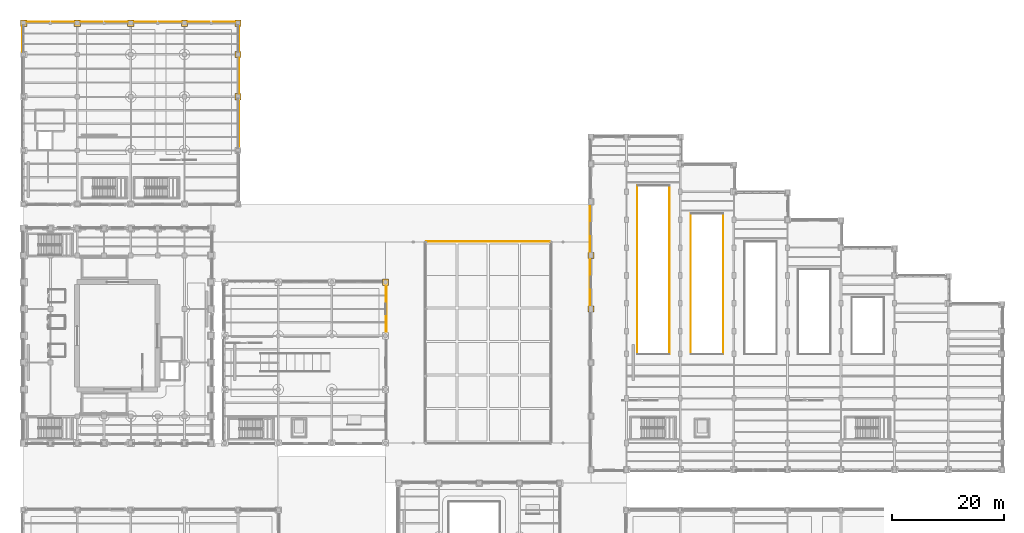
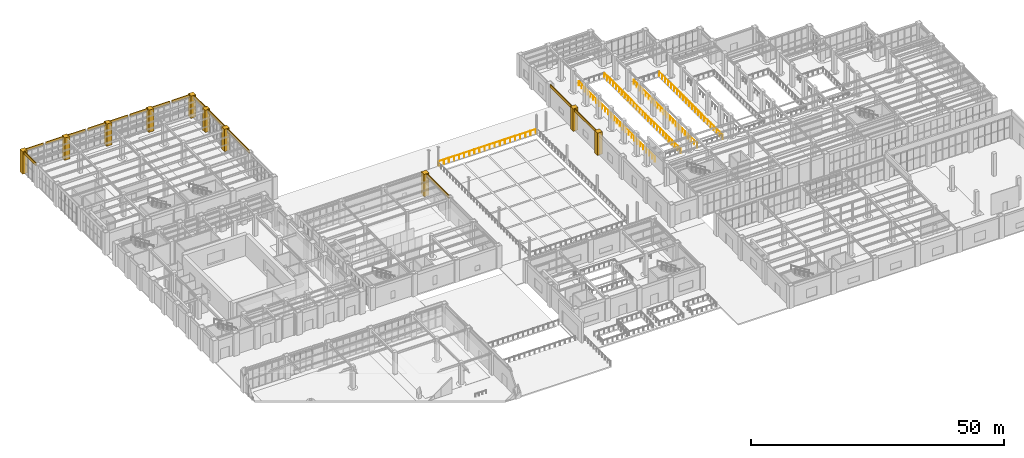
# One storey, part 157 of 164: 25 coverings, 5 railings.
"""IFC4 building model written with IfcOpenShell, lengths in metres."""

from ifc_helpers import new_model, si_unit, direction, frame, origin, origin_2d, place, context, subcontext, project, spatial, polyline, circle, outline, extrude, material, layer, layer_set, type_object, element, save


model = new_model("IFC4")

# Units and contexts
model_context = context("Model", 3, precision=1e-05, world=origin(), true_north=direction((0.0, 1.0)))
body_context = subcontext(model_context, "Body", "Model", "MODEL_VIEW")
ifc_project = project(units=[si_unit("LENGTHUNIT", "METRE"), si_unit("AREAUNIT", "SQUARE_METRE"), si_unit("VOLUMEUNIT", "CUBIC_METRE"), si_unit("PLANEANGLEUNIT", "RADIAN"), si_unit("MASSUNIT", "GRAM", prefix="KILO")], contexts=[model_context])

# Site, building, storey
site_placement = place(None, origin())
site = spatial("IfcSite", under=ifc_project, at=site_placement, CompositionType="ELEMENT")
building_placement = place(site_placement, origin())
building = spatial("IfcBuilding", under=site, at=building_placement, Name="Mavantir Sound Aquarium", CompositionType="ELEMENT")
storey_placement = place(building_placement, origin())
storey = spatial("IfcBuildingStorey", under=building, at=storey_placement, Name="L00", CompositionType="ELEMENT", Elevation=0.0)

# Coverings
ifc_material_1 = material(Name="Honed Coral-Limestone & Glazed Terracotta Rainscreen Cladding", Category="masonry")
ifc_layer = layer(ifc_material_1, 0.06005859375, Name="Honed Coral-Limestone & Glazed Terracotta Rainscreen Cladding")
ifc_layer_set = layer_set([ifc_layer], Name="Honed Coral-Limestone & Glazed Terracotta Rainscreen Cladding")
covering_type = type_object("IfcCoveringType", Name="COV-CLAD-TC", PredefinedType="CLADDING", material=ifc_layer_set)
covering_1_placement = place(storey_placement, frame((0.0, 0.0, 4.59912109375)))
element("IfcCovering", 1, at=covering_1_placement, inside=storey, type_object=covering_type, Name="L00 Postmodern coral-limestone spandrel frieze 33", PredefinedType="CLADDING", context=body_context, shape_type="SweptSolid", body=[
    extrude(outline(polyline([(64.889892578125, 60.383056640625), (64.889892578125, 69.217041015625), (65.0400390625, 69.217041015625), (65.0400390625, 60.383056640625), (64.889892578125, 60.383056640625)])), origin(), (0.0, 0.0, 1.0), 0.80078125),
])
covering_2_placement = place(storey_placement, frame((0.0, 0.0, 4.68603515625)))
element("IfcCovering", 2, at=covering_2_placement, inside=storey, type_object=covering_type, Name="L00 Postmodern coral-limestone spandrel frieze 76", PredefinedType="CLADDING", context=body_context, shape_type="SweptSolid", body=[
    extrude(outline(polyline([(101.510009765625, 83.491943359375), (101.510009765625, 74.907958984375), (101.360107421875, 74.907958984375), (101.360107421875, 83.491943359375), (101.510009765625, 83.491943359375)])), origin(), (0.0, 0.0, 1.0), 0.7138671875),
])
covering_3_placement = place(storey_placement, frame((0.0, 0.0, 4.68603515625)))
element("IfcCovering", 3, at=covering_3_placement, inside=storey, type_object=covering_type, Name="L00 Postmodern coral-limestone spandrel frieze 77", PredefinedType="CLADDING", context=body_context, shape_type="SweptSolid", body=[
    extrude(outline(polyline([(101.510009765625, 73.89208984375), (101.510009765625, 65.30810546875), (101.360107421875, 65.30810546875), (101.360107421875, 73.89208984375), (101.510009765625, 73.89208984375)])), origin(), (0.0, 0.0, 1.0), 0.7138671875),
])
covering_4_placement = place(storey_placement, frame((0.0, 0.0, 4.59912109375)))
element("IfcCovering", 4, at=covering_4_placement, inside=storey, type_object=covering_type, Name="L00 Postmodern coral-limestone spandrel frieze 102", PredefinedType="CLADDING", context=body_context, shape_type="SweptSolid", body=[
    extrude(outline(polyline([(38.489990234375, 93.5830078125), (38.489990234375, 102.4169921875), (38.639892578125, 102.4169921875), (38.639892578125, 93.5830078125), (38.489990234375, 93.5830078125)])), origin(), (0.0, 0.0, 1.0), 0.80078125),
])
covering_5_placement = place(storey_placement, frame((0.0, 0.0, 4.59912109375)))
element("IfcCovering", 5, at=covering_5_placement, inside=storey, type_object=covering_type, Name="L00 Postmodern coral-limestone spandrel frieze 103", PredefinedType="CLADDING", context=body_context, shape_type="SweptSolid", body=[
    extrude(outline(polyline([(38.489990234375, 103.18310546875), (38.489990234375, 110.01708984375), (38.639892578125, 110.01708984375), (38.639892578125, 103.18310546875), (38.489990234375, 103.18310546875)])), origin(), (0.0, 0.0, 1.0), 0.80078125),
])
covering_6_placement = place(storey_placement, frame((0.0, 0.0, 4.59912109375)))
element("IfcCovering", 6, at=covering_6_placement, inside=storey, type_object=covering_type, Name="L00 Postmodern coral-limestone spandrel frieze 104", PredefinedType="CLADDING", context=body_context, shape_type="SweptSolid", body=[
    extrude(outline(polyline([(38.489990234375, 110.782958984375), (38.489990234375, 115.616943359375), (38.639892578125, 115.616943359375), (38.639892578125, 110.782958984375), (38.489990234375, 110.782958984375)])), origin(), (0.0, 0.0, 1.0), 0.80078125),
])
covering_7_placement = place(storey_placement, frame((0.0, 0.0, 4.7080078125)))
element("IfcCovering", 7, at=covering_7_placement, inside=storey, type_object=covering_type, Name="L00 Postmodern coral-limestone spandrel frieze 105", PredefinedType="CLADDING", context=body_context, shape_type="SweptSolid", body=[
    extrude(outline(polyline([(38.01708984375, 116.090087890625), (33.8330078125, 116.090087890625), (33.8330078125, 116.239990234375), (38.01708984375, 116.239990234375), (38.01708984375, 116.090087890625)])), origin(), (0.0, 0.0, 1.0), 0.69189453125),
])
covering_8_placement = place(storey_placement, frame((0.0, 0.0, 4.7080078125)))
element("IfcCovering", 8, at=covering_8_placement, inside=storey, type_object=covering_type, Name="L00 Postmodern coral-limestone spandrel frieze 106", PredefinedType="CLADDING", context=body_context, shape_type="SweptSolid", body=[
    extrude(outline(polyline([(33.366943359375, 116.090087890625), (29.18310546875, 116.090087890625), (29.18310546875, 116.239990234375), (33.366943359375, 116.239990234375), (33.366943359375, 116.090087890625)])), origin(), (0.0, 0.0, 1.0), 0.69189453125),
])
covering_9_placement = place(storey_placement, frame((0.0, 0.0, 4.81298828125)))
element("IfcCovering", 9, at=covering_9_placement, inside=storey, type_object=covering_type, Name="L00 Postmodern coral-limestone spandrel frieze 107", PredefinedType="CLADDING", context=body_context, shape_type="SweptSolid", body=[
    extrude(outline(polyline([(28.4169921875, 116.090087890625), (24.23291015625, 116.090087890625), (24.23291015625, 116.239990234375), (28.4169921875, 116.239990234375), (28.4169921875, 116.090087890625)])), origin(), (0.0, 0.0, 1.0), 0.5869140625),
])
covering_10_placement = place(storey_placement, frame((0.0, 0.0, 4.81298828125)))
element("IfcCovering", 10, at=covering_10_placement, inside=storey, type_object=covering_type, Name="L00 Postmodern coral-limestone spandrel frieze 108", PredefinedType="CLADDING", context=body_context, shape_type="SweptSolid", body=[
    extrude(outline(polyline([(23.76708984375, 116.090087890625), (19.5830078125, 116.090087890625), (19.5830078125, 116.239990234375), (23.76708984375, 116.239990234375), (23.76708984375, 116.090087890625)])), origin(), (0.0, 0.0, 1.0), 0.5869140625),
])
covering_11_placement = place(storey_placement, frame((0.0, 0.0, 4.7080078125)))
element("IfcCovering", 11, at=covering_11_placement, inside=storey, type_object=covering_type, Name="L00 Postmodern coral-limestone spandrel frieze 109", PredefinedType="CLADDING", context=body_context, shape_type="SweptSolid", body=[
    extrude(outline(polyline([(18.81689453125, 116.090087890625), (14.633056640625, 116.090087890625), (14.633056640625, 116.239990234375), (18.81689453125, 116.239990234375), (18.81689453125, 116.090087890625)])), origin(), (0.0, 0.0, 1.0), 0.69189453125),
])
covering_12_placement = place(storey_placement, frame((0.0, 0.0, 4.7080078125)))
element("IfcCovering", 12, at=covering_12_placement, inside=storey, type_object=covering_type, Name="L00 Postmodern coral-limestone spandrel frieze 110", PredefinedType="CLADDING", context=body_context, shape_type="SweptSolid", body=[
    extrude(outline(polyline([(14.1669921875, 116.090087890625), (9.98291015625, 116.090087890625), (9.98291015625, 116.239990234375), (14.1669921875, 116.239990234375), (14.1669921875, 116.090087890625)])), origin(), (0.0, 0.0, 1.0), 0.69189453125),
])
covering_13_placement = place(storey_placement, frame((0.0, 0.0, 4.81298828125)))
element("IfcCovering", 13, at=covering_13_placement, inside=storey, type_object=covering_type, Name="L00 Postmodern coral-limestone spandrel frieze 111", PredefinedType="CLADDING", context=body_context, shape_type="SweptSolid", body=[
    extrude(outline(polyline([(9.217041015625, 116.090087890625), (5.032958984375, 116.090087890625), (5.032958984375, 116.239990234375), (9.217041015625, 116.239990234375), (9.217041015625, 116.090087890625)])), origin(), (0.0, 0.0, 1.0), 0.5869140625),
])
covering_14_placement = place(storey_placement, frame((0.0, 0.0, 4.81298828125)))
element("IfcCovering", 14, at=covering_14_placement, inside=storey, type_object=covering_type, Name="L00 Postmodern coral-limestone spandrel frieze 112", PredefinedType="CLADDING", context=body_context, shape_type="SweptSolid", body=[
    extrude(outline(polyline([(4.56689453125, 116.090087890625), (0.383056640625, 116.090087890625), (0.383056640625, 116.239990234375), (4.56689453125, 116.239990234375), (4.56689453125, 116.090087890625)])), origin(), (0.0, 0.0, 1.0), 0.5869140625),
])
covering_15_placement = place(storey_placement, frame((0.0, 0.0, 4.6630859375)))
element("IfcCovering", 15, at=covering_15_placement, inside=storey, type_object=covering_type, Name="L00 Postmodern coral-limestone spandrel frieze 113", PredefinedType="CLADDING", context=body_context, shape_type="SweptSolid", body=[
    extrude(outline(polyline([(-0.090087890625, 115.616943359375), (-0.090087890625, 110.782958984375), (-0.239990234375, 110.782958984375), (-0.239990234375, 115.616943359375), (-0.090087890625, 115.616943359375)])), origin(), (0.0, 0.0, 1.0), 0.73681640625),
])
covering_16_placement = place(storey_placement, origin())
element("IfcCovering", 16, at=covering_16_placement, inside=storey, type_object=covering_type, Name="L00 Postmodern coral-limestone pilaster casing 157", PredefinedType="CLADDING", context=body_context, shape_type="SweptSolid", body=[
    extrude(outline(polyline([(64.239990234375, 69.0400390625), (65.360107421875, 69.0400390625), (65.360107421875, 70.159912109375), (64.239990234375, 70.159912109375), (64.239990234375, 69.0400390625)])), origin(), (0.0, 0.0, 1.0), 5.39990234375),
])
covering_17_placement = place(storey_placement, origin())
element("IfcCovering", 17, at=covering_17_placement, inside=storey, type_object=covering_type, Name="L00 Postmodern coral-limestone pilaster casing 217", PredefinedType="CLADDING", context=body_context, shape_type="SweptSolid", body=[
    extrude(outline(polyline([(101.0400390625, 64.239990234375), (102.159912109375, 64.239990234375), (102.159912109375, 65.360107421875), (101.0400390625, 65.360107421875), (101.0400390625, 64.239990234375)])), origin(), (0.0, 0.0, 1.0), 5.39990234375),
])
covering_18_placement = place(storey_placement, origin())
element("IfcCovering", 18, at=covering_18_placement, inside=storey, type_object=covering_type, Name="L00 Postmodern coral-limestone pilaster casing 219", PredefinedType="CLADDING", context=body_context, shape_type="SweptSolid", body=[
    extrude(outline(polyline([(101.0400390625, 73.840087890625), (102.159912109375, 73.840087890625), (102.159912109375, 74.9599609375), (101.0400390625, 74.9599609375), (101.0400390625, 73.840087890625)])), origin(), (0.0, 0.0, 1.0), 5.39990234375),
])
covering_19_placement = place(storey_placement, origin())
element("IfcCovering", 19, at=covering_19_placement, inside=storey, type_object=covering_type, Name="L00 Postmodern coral-limestone pilaster casing 364", PredefinedType="CLADDING", context=body_context, shape_type="SweptSolid", body=[
    extrude(outline(polyline([(-0.56005859375, 115.43994140625), (0.56005859375, 115.43994140625), (0.56005859375, 116.56005859375), (-0.56005859375, 116.56005859375), (-0.56005859375, 115.43994140625)])), origin(), (0.0, 0.0, 1.0), 5.39990234375),
])
covering_20_placement = place(storey_placement, origin())
element("IfcCovering", 20, at=covering_20_placement, inside=storey, type_object=covering_type, Name="L00 Postmodern coral-limestone pilaster casing 376", PredefinedType="CLADDING", context=body_context, shape_type="SweptSolid", body=[
    extrude(outline(polyline([(9.0400390625, 115.43994140625), (10.159912109375, 115.43994140625), (10.159912109375, 116.56005859375), (9.0400390625, 116.56005859375), (9.0400390625, 115.43994140625)])), origin(), (0.0, 0.0, 1.0), 5.39990234375),
])
covering_21_placement = place(storey_placement, origin())
element("IfcCovering", 21, at=covering_21_placement, inside=storey, type_object=covering_type, Name="L00 Postmodern coral-limestone pilaster casing 388", PredefinedType="CLADDING", context=body_context, shape_type="SweptSolid", body=[
    extrude(outline(polyline([(18.639892578125, 115.43994140625), (19.760009765625, 115.43994140625), (19.760009765625, 116.56005859375), (18.639892578125, 116.56005859375), (18.639892578125, 115.43994140625)])), origin(), (0.0, 0.0, 1.0), 5.39990234375),
])
covering_22_placement = place(storey_placement, origin())
element("IfcCovering", 22, at=covering_22_placement, inside=storey, type_object=covering_type, Name="L00 Postmodern coral-limestone pilaster casing 405", PredefinedType="CLADDING", context=body_context, shape_type="SweptSolid", body=[
    extrude(outline(polyline([(28.239990234375, 115.43994140625), (29.360107421875, 115.43994140625), (29.360107421875, 116.56005859375), (28.239990234375, 116.56005859375), (28.239990234375, 115.43994140625)])), origin(), (0.0, 0.0, 1.0), 5.39990234375),
])
covering_23_placement = place(storey_placement, origin())
element("IfcCovering", 23, at=covering_23_placement, inside=storey, type_object=covering_type, Name="L00 Postmodern coral-limestone pilaster casing 411", PredefinedType="CLADDING", context=body_context, shape_type="SweptSolid", body=[
    extrude(outline(polyline([(37.840087890625, 102.239990234375), (38.9599609375, 102.239990234375), (38.9599609375, 103.360107421875), (37.840087890625, 103.360107421875), (37.840087890625, 102.239990234375)])), origin(), (0.0, 0.0, 1.0), 5.39990234375),
])
covering_24_placement = place(storey_placement, origin())
element("IfcCovering", 24, at=covering_24_placement, inside=storey, type_object=covering_type, Name="L00 Postmodern coral-limestone pilaster casing 413", PredefinedType="CLADDING", context=body_context, shape_type="SweptSolid", body=[
    extrude(outline(polyline([(37.840087890625, 109.840087890625), (38.9599609375, 109.840087890625), (38.9599609375, 110.9599609375), (37.840087890625, 110.9599609375), (37.840087890625, 109.840087890625)])), origin(), (0.0, 0.0, 1.0), 5.39990234375),
])
covering_25_placement = place(storey_placement, origin())
element("IfcCovering", 25, at=covering_25_placement, inside=storey, type_object=covering_type, Name="L00 Postmodern coral-limestone pilaster casing 415", PredefinedType="CLADDING", context=body_context, shape_type="SweptSolid", body=[
    extrude(outline(polyline([(37.840087890625, 115.43994140625), (38.9599609375, 115.43994140625), (38.9599609375, 116.56005859375), (37.840087890625, 116.56005859375), (37.840087890625, 115.43994140625)])), origin(), (0.0, 0.0, 1.0), 5.39990234375),
])

# Railings
ifc_material_2 = material(Name="Stainless Steel 316 and Laminated Glass Guardrail", Category="steel")
railing_type = type_object("IfcRailingType", Name="RL-GUARD-110", PredefinedType="GUARDRAIL", material=ifc_material_2)
railing_1_placement = place(storey_placement, frame((72.14990234375, 76.89990234375, 0.0)))
element("IfcRailing", 26, at=railing_1_placement, inside=storey, type_object=railing_type, Name="Tidal basin north balustrade", PredefinedType="GUARDRAIL", context=body_context, shape_type="SweptSolid", body=[
    extrude(circle(Radius=0.02392578125, at=origin_2d()), frame((0.0, 0.0, 1.076171875), z_axis=(1.0, 0.0, 0.0), x_axis=(0.0, 1.0, 0.0)), (0.0, 0.0, 1.0), 22.10009765625),
    extrude(circle(Radius=0.02099609375, at=origin_2d()), origin(), (0.0, 0.0, 1.0), 1.052001953125),
    extrude(circle(Radius=0.02099609375, at=origin_2d()), frame((1.1630859375, 0.0, 0.0)), (0.0, 0.0, 1.0), 1.052001953125),
    extrude(circle(Radius=0.02099609375, at=origin_2d()), frame((2.326416015625, 0.0, 0.0)), (0.0, 0.0, 1.0), 1.052001953125),
    extrude(circle(Radius=0.02099609375, at=origin_2d()), frame((3.489501953125, 0.0, 0.0)), (0.0, 0.0, 1.0), 1.052001953125),
    extrude(circle(Radius=0.02099609375, at=origin_2d()), frame((4.652587890625, 0.0, 0.0)), (0.0, 0.0, 1.0), 1.052001953125),
    extrude(circle(Radius=0.02099609375, at=origin_2d()), frame((5.81591796875, 0.0, 0.0)), (0.0, 0.0, 1.0), 1.052001953125),
    extrude(circle(Radius=0.02099609375, at=origin_2d()), frame((6.97900390625, 0.0, 0.0)), (0.0, 0.0, 1.0), 1.052001953125),
    extrude(circle(Radius=0.02099609375, at=origin_2d()), frame((8.14208984375, 0.0, 0.0)), (0.0, 0.0, 1.0), 1.052001953125),
    extrude(circle(Radius=0.02099609375, at=origin_2d()), frame((9.305419921875, 0.0, 0.0)), (0.0, 0.0, 1.0), 1.052001953125),
    extrude(circle(Radius=0.02099609375, at=origin_2d()), frame((10.468505859375, 0.0, 0.0)), (0.0, 0.0, 1.0), 1.052001953125),
    extrude(circle(Radius=0.02099609375, at=origin_2d()), frame((11.631591796875, 0.0, 0.0)), (0.0, 0.0, 1.0), 1.052001953125),
    extrude(circle(Radius=0.02099609375, at=origin_2d()), frame((12.794677734375, 0.0, 0.0)), (0.0, 0.0, 1.0), 1.052001953125),
    extrude(circle(Radius=0.02099609375, at=origin_2d()), frame((13.9580078125, 0.0, 0.0)), (0.0, 0.0, 1.0), 1.052001953125),
    extrude(circle(Radius=0.02099609375, at=origin_2d()), frame((15.12109375, 0.0, 0.0)), (0.0, 0.0, 1.0), 1.052001953125),
    extrude(circle(Radius=0.02099609375, at=origin_2d()), frame((16.2841796875, 0.0, 0.0)), (0.0, 0.0, 1.0), 1.052001953125),
    extrude(circle(Radius=0.02099609375, at=origin_2d()), frame((17.447509765625, 0.0, 0.0)), (0.0, 0.0, 1.0), 1.052001953125),
    extrude(circle(Radius=0.02099609375, at=origin_2d()), frame((18.610595703125, 0.0, 0.0)), (0.0, 0.0, 1.0), 1.052001953125),
    extrude(circle(Radius=0.02099609375, at=origin_2d()), frame((19.773681640625, 0.0, 0.0)), (0.0, 0.0, 1.0), 1.052001953125),
    extrude(circle(Radius=0.02099609375, at=origin_2d()), frame((20.93701171875, 0.0, 0.0)), (0.0, 0.0, 1.0), 1.052001953125),
    extrude(circle(Radius=0.02099609375, at=origin_2d()), frame((22.10009765625, 0.0, 0.0)), (0.0, 0.0, 1.0), 1.052001953125),
])
railing_2_placement = place(storey_placement, frame((115.699951171875, 56.699951171875, 0.0)))
element("IfcRailing", 27, at=railing_2_placement, inside=storey, type_object=railing_type, Name="L00 atrium void E guardrail 68", PredefinedType="GUARDRAIL", context=body_context, shape_type="SweptSolid", body=[
    extrude(circle(Radius=0.02392578125, at=origin_2d()), frame((0.0, 0.0, 1.076171875), z_axis=(0.0, 1.0, 0.0), x_axis=(-1.0, 0.0, 0.0)), (0.0, 0.0, 1.0), 30.1201171875),
    extrude(circle(Radius=0.02099609375, at=origin_2d()), origin(), (0.0, 0.0, 1.0), 1.052001953125),
    extrude(circle(Radius=0.02099609375, at=origin_2d()), frame((0.0, 1.158447265625, 0.0)), (0.0, 0.0, 1.0), 1.052001953125),
    extrude(circle(Radius=0.02099609375, at=origin_2d()), frame((0.0, 2.31689453125, 0.0)), (0.0, 0.0, 1.0), 1.052001953125),
    extrude(circle(Radius=0.02099609375, at=origin_2d()), frame((0.0, 3.475341796875, 0.0)), (0.0, 0.0, 1.0), 1.052001953125),
    extrude(circle(Radius=0.02099609375, at=origin_2d()), frame((0.0, 4.6337890625, 0.0)), (0.0, 0.0, 1.0), 1.052001953125),
    extrude(circle(Radius=0.02099609375, at=origin_2d()), frame((0.0, 5.792236328125, 0.0)), (0.0, 0.0, 1.0), 1.052001953125),
    extrude(circle(Radius=0.02099609375, at=origin_2d()), frame((0.0, 6.95068359375, 0.0)), (0.0, 0.0, 1.0), 1.052001953125),
    extrude(circle(Radius=0.02099609375, at=origin_2d()), frame((0.0, 8.109375, 0.0)), (0.0, 0.0, 1.0), 1.052001953125),
    extrude(circle(Radius=0.02099609375, at=origin_2d()), frame((0.0, 9.267822265625, 0.0)), (0.0, 0.0, 1.0), 1.052001953125),
    extrude(circle(Radius=0.02099609375, at=origin_2d()), frame((0.0, 10.42626953125, 0.0)), (0.0, 0.0, 1.0), 1.052001953125),
    extrude(circle(Radius=0.02099609375, at=origin_2d()), frame((0.0, 11.584716796875, 0.0)), (0.0, 0.0, 1.0), 1.052001953125),
    extrude(circle(Radius=0.02099609375, at=origin_2d()), frame((0.0, 12.7431640625, 0.0)), (0.0, 0.0, 1.0), 1.052001953125),
    extrude(circle(Radius=0.02099609375, at=origin_2d()), frame((0.0, 13.901611328125, 0.0)), (0.0, 0.0, 1.0), 1.052001953125),
    extrude(circle(Radius=0.02099609375, at=origin_2d()), frame((0.0, 15.06005859375, 0.0)), (0.0, 0.0, 1.0), 1.052001953125),
    extrude(circle(Radius=0.02099609375, at=origin_2d()), frame((0.0, 16.218505859375, 0.0)), (0.0, 0.0, 1.0), 1.052001953125),
    extrude(circle(Radius=0.02099609375, at=origin_2d()), frame((0.0, 17.376953125, 0.0)), (0.0, 0.0, 1.0), 1.052001953125),
    extrude(circle(Radius=0.02099609375, at=origin_2d()), frame((0.0, 18.535400390625, 0.0)), (0.0, 0.0, 1.0), 1.052001953125),
    extrude(circle(Radius=0.02099609375, at=origin_2d()), frame((0.0, 19.69384765625, 0.0)), (0.0, 0.0, 1.0), 1.052001953125),
    extrude(circle(Radius=0.02099609375, at=origin_2d()), frame((0.0, 20.852294921875, 0.0)), (0.0, 0.0, 1.0), 1.052001953125),
    extrude(circle(Radius=0.02099609375, at=origin_2d()), frame((0.0, 22.0107421875, 0.0)), (0.0, 0.0, 1.0), 1.052001953125),
    extrude(circle(Radius=0.02099609375, at=origin_2d()), frame((0.0, 23.16943359375, 0.0)), (0.0, 0.0, 1.0), 1.052001953125),
    extrude(circle(Radius=0.02099609375, at=origin_2d()), frame((0.0, 24.327880859375, 0.0)), (0.0, 0.0, 1.0), 1.052001953125),
    extrude(circle(Radius=0.02099609375, at=origin_2d()), frame((0.0, 25.486328125, 0.0)), (0.0, 0.0, 1.0), 1.052001953125),
    extrude(circle(Radius=0.02099609375, at=origin_2d()), frame((0.0, 26.644775390625, 0.0)), (0.0, 0.0, 1.0), 1.052001953125),
    extrude(circle(Radius=0.02099609375, at=origin_2d()), frame((0.0, 27.80322265625, 0.0)), (0.0, 0.0, 1.0), 1.052001953125),
    extrude(circle(Radius=0.02099609375, at=origin_2d()), frame((0.0, 28.961669921875, 0.0)), (0.0, 0.0, 1.0), 1.052001953125),
    extrude(circle(Radius=0.02099609375, at=origin_2d()), frame((0.0, 30.1201171875, 0.0)), (0.0, 0.0, 1.0), 1.052001953125),
])
railing_3_placement = place(storey_placement, frame((109.89990234375, 86.89990234375, 0.0)))
element("IfcRailing", 28, at=railing_3_placement, inside=storey, type_object=railing_type, Name="L00 atrium void W guardrail 70", PredefinedType="GUARDRAIL", context=body_context, shape_type="SweptSolid", body=[
    extrude(circle(Radius=0.02392578125, at=origin_2d()), frame((0.0, 0.0, 1.076171875), z_axis=(0.0, -1.0, 0.0), x_axis=(1.0, 0.0, 0.0)), (0.0, 0.0, 1.0), 30.119873046875),
    extrude(circle(Radius=0.02099609375, at=origin_2d()), origin(), (0.0, 0.0, 1.0), 1.052001953125),
    extrude(circle(Radius=0.02099609375, at=origin_2d()), frame((0.0, -1.158447265625, 0.0)), (0.0, 0.0, 1.0), 1.052001953125),
    extrude(circle(Radius=0.02099609375, at=origin_2d()), frame((0.0, -2.31689453125, 0.0)), (0.0, 0.0, 1.0), 1.052001953125),
    extrude(circle(Radius=0.02099609375, at=origin_2d()), frame((0.0, -3.475341796875, 0.0)), (0.0, 0.0, 1.0), 1.052001953125),
    extrude(circle(Radius=0.02099609375, at=origin_2d()), frame((0.0, -4.6337890625, 0.0)), (0.0, 0.0, 1.0), 1.052001953125),
    extrude(circle(Radius=0.02099609375, at=origin_2d()), frame((0.0, -5.792236328125, 0.0)), (0.0, 0.0, 1.0), 1.052001953125),
    extrude(circle(Radius=0.02099609375, at=origin_2d()), frame((0.0, -6.95068359375, 0.0)), (0.0, 0.0, 1.0), 1.052001953125),
    extrude(circle(Radius=0.02099609375, at=origin_2d()), frame((0.0, -8.109130859375, 0.0)), (0.0, 0.0, 1.0), 1.052001953125),
    extrude(circle(Radius=0.02099609375, at=origin_2d()), frame((0.0, -9.267578125, 0.0)), (0.0, 0.0, 1.0), 1.052001953125),
    extrude(circle(Radius=0.02099609375, at=origin_2d()), frame((0.0, -10.426025390625, 0.0)), (0.0, 0.0, 1.0), 1.052001953125),
    extrude(circle(Radius=0.02099609375, at=origin_2d()), frame((0.0, -11.58447265625, 0.0)), (0.0, 0.0, 1.0), 1.052001953125),
    extrude(circle(Radius=0.02099609375, at=origin_2d()), frame((0.0, -12.742919921875, 0.0)), (0.0, 0.0, 1.0), 1.052001953125),
    extrude(circle(Radius=0.02099609375, at=origin_2d()), frame((0.0, -13.9013671875, 0.0)), (0.0, 0.0, 1.0), 1.052001953125),
    extrude(circle(Radius=0.02099609375, at=origin_2d()), frame((0.0, -15.06005859375, 0.0)), (0.0, 0.0, 1.0), 1.052001953125),
    extrude(circle(Radius=0.02099609375, at=origin_2d()), frame((0.0, -16.218505859375, 0.0)), (0.0, 0.0, 1.0), 1.052001953125),
    extrude(circle(Radius=0.02099609375, at=origin_2d()), frame((0.0, -17.376953125, 0.0)), (0.0, 0.0, 1.0), 1.052001953125),
    extrude(circle(Radius=0.02099609375, at=origin_2d()), frame((0.0, -18.535400390625, 0.0)), (0.0, 0.0, 1.0), 1.052001953125),
    extrude(circle(Radius=0.02099609375, at=origin_2d()), frame((0.0, -19.69384765625, 0.0)), (0.0, 0.0, 1.0), 1.052001953125),
    extrude(circle(Radius=0.02099609375, at=origin_2d()), frame((0.0, -20.852294921875, 0.0)), (0.0, 0.0, 1.0), 1.052001953125),
    extrude(circle(Radius=0.02099609375, at=origin_2d()), frame((0.0, -22.0107421875, 0.0)), (0.0, 0.0, 1.0), 1.052001953125),
    extrude(circle(Radius=0.02099609375, at=origin_2d()), frame((0.0, -23.169189453125, 0.0)), (0.0, 0.0, 1.0), 1.052001953125),
    extrude(circle(Radius=0.02099609375, at=origin_2d()), frame((0.0, -24.32763671875, 0.0)), (0.0, 0.0, 1.0), 1.052001953125),
    extrude(circle(Radius=0.02099609375, at=origin_2d()), frame((0.0, -25.486083984375, 0.0)), (0.0, 0.0, 1.0), 1.052001953125),
    extrude(circle(Radius=0.02099609375, at=origin_2d()), frame((0.0, -26.64453125, 0.0)), (0.0, 0.0, 1.0), 1.052001953125),
    extrude(circle(Radius=0.02099609375, at=origin_2d()), frame((0.0, -27.802978515625, 0.0)), (0.0, 0.0, 1.0), 1.052001953125),
    extrude(circle(Radius=0.02099609375, at=origin_2d()), frame((0.0, -28.96142578125, 0.0)), (0.0, 0.0, 1.0), 1.052001953125),
    extrude(circle(Radius=0.02099609375, at=origin_2d()), frame((0.0, -30.119873046875, 0.0)), (0.0, 0.0, 1.0), 1.052001953125),
])
railing_4_placement = place(storey_placement, frame((125.300048828125, 56.699951171875, 0.0)))
element("IfcRailing", 29, at=railing_4_placement, inside=storey, type_object=railing_type, Name="L00 atrium void E guardrail 72", PredefinedType="GUARDRAIL", context=body_context, shape_type="SweptSolid", body=[
    extrude(circle(Radius=0.02392578125, at=origin_2d()), frame((0.0, 0.0, 1.076171875), z_axis=(0.0, 1.0, 0.0), x_axis=(-1.0, 0.0, 0.0)), (0.0, 0.0, 1.0), 25.1201171875),
    extrude(circle(Radius=0.02099609375, at=origin_2d()), origin(), (0.0, 0.0, 1.0), 1.052001953125),
    extrude(circle(Radius=0.02099609375, at=origin_2d()), frame((0.0, 1.1962890625, 0.0)), (0.0, 0.0, 1.0), 1.052001953125),
    extrude(circle(Radius=0.02099609375, at=origin_2d()), frame((0.0, 2.392333984375, 0.0)), (0.0, 0.0, 1.0), 1.052001953125),
    extrude(circle(Radius=0.02099609375, at=origin_2d()), frame((0.0, 3.588623046875, 0.0)), (0.0, 0.0, 1.0), 1.052001953125),
    extrude(circle(Radius=0.02099609375, at=origin_2d()), frame((0.0, 4.78466796875, 0.0)), (0.0, 0.0, 1.0), 1.052001953125),
    extrude(circle(Radius=0.02099609375, at=origin_2d()), frame((0.0, 5.98095703125, 0.0)), (0.0, 0.0, 1.0), 1.052001953125),
    extrude(circle(Radius=0.02099609375, at=origin_2d()), frame((0.0, 7.17724609375, 0.0)), (0.0, 0.0, 1.0), 1.052001953125),
    extrude(circle(Radius=0.02099609375, at=origin_2d()), frame((0.0, 8.373291015625, 0.0)), (0.0, 0.0, 1.0), 1.052001953125),
    extrude(circle(Radius=0.02099609375, at=origin_2d()), frame((0.0, 9.569580078125, 0.0)), (0.0, 0.0, 1.0), 1.052001953125),
    extrude(circle(Radius=0.02099609375, at=origin_2d()), frame((0.0, 10.765869140625, 0.0)), (0.0, 0.0, 1.0), 1.052001953125),
    extrude(circle(Radius=0.02099609375, at=origin_2d()), frame((0.0, 11.9619140625, 0.0)), (0.0, 0.0, 1.0), 1.052001953125),
    extrude(circle(Radius=0.02099609375, at=origin_2d()), frame((0.0, 13.158203125, 0.0)), (0.0, 0.0, 1.0), 1.052001953125),
    extrude(circle(Radius=0.02099609375, at=origin_2d()), frame((0.0, 14.354248046875, 0.0)), (0.0, 0.0, 1.0), 1.052001953125),
    extrude(circle(Radius=0.02099609375, at=origin_2d()), frame((0.0, 15.550537109375, 0.0)), (0.0, 0.0, 1.0), 1.052001953125),
    extrude(circle(Radius=0.02099609375, at=origin_2d()), frame((0.0, 16.746826171875, 0.0)), (0.0, 0.0, 1.0), 1.052001953125),
    extrude(circle(Radius=0.02099609375, at=origin_2d()), frame((0.0, 17.94287109375, 0.0)), (0.0, 0.0, 1.0), 1.052001953125),
    extrude(circle(Radius=0.02099609375, at=origin_2d()), frame((0.0, 19.13916015625, 0.0)), (0.0, 0.0, 1.0), 1.052001953125),
    extrude(circle(Radius=0.02099609375, at=origin_2d()), frame((0.0, 20.33544921875, 0.0)), (0.0, 0.0, 1.0), 1.052001953125),
    extrude(circle(Radius=0.02099609375, at=origin_2d()), frame((0.0, 21.531494140625, 0.0)), (0.0, 0.0, 1.0), 1.052001953125),
    extrude(circle(Radius=0.02099609375, at=origin_2d()), frame((0.0, 22.727783203125, 0.0)), (0.0, 0.0, 1.0), 1.052001953125),
    extrude(circle(Radius=0.02099609375, at=origin_2d()), frame((0.0, 23.923828125, 0.0)), (0.0, 0.0, 1.0), 1.052001953125),
    extrude(circle(Radius=0.02099609375, at=origin_2d()), frame((0.0, 25.1201171875, 0.0)), (0.0, 0.0, 1.0), 1.052001953125),
])
railing_5_placement = place(storey_placement, frame((119.5, 81.89990234375, 0.0)))
element("IfcRailing", 30, at=railing_5_placement, inside=storey, type_object=railing_type, Name="L00 atrium void W guardrail 74", PredefinedType="GUARDRAIL", context=body_context, shape_type="SweptSolid", body=[
    extrude(circle(Radius=0.02392578125, at=origin_2d()), frame((0.0, 0.0, 1.076171875), z_axis=(0.0, -1.0, 0.0), x_axis=(1.0, 0.0, 0.0)), (0.0, 0.0, 1.0), 25.119873046875),
    extrude(circle(Radius=0.02099609375, at=origin_2d()), origin(), (0.0, 0.0, 1.0), 1.052001953125),
    extrude(circle(Radius=0.02099609375, at=origin_2d()), frame((0.0, -1.1962890625, 0.0)), (0.0, 0.0, 1.0), 1.052001953125),
    extrude(circle(Radius=0.02099609375, at=origin_2d()), frame((0.0, -2.392333984375, 0.0)), (0.0, 0.0, 1.0), 1.052001953125),
    extrude(circle(Radius=0.02099609375, at=origin_2d()), frame((0.0, -3.588623046875, 0.0)), (0.0, 0.0, 1.0), 1.052001953125),
    extrude(circle(Radius=0.02099609375, at=origin_2d()), frame((0.0, -4.78466796875, 0.0)), (0.0, 0.0, 1.0), 1.052001953125),
    extrude(circle(Radius=0.02099609375, at=origin_2d()), frame((0.0, -5.98095703125, 0.0)), (0.0, 0.0, 1.0), 1.052001953125),
    extrude(circle(Radius=0.02099609375, at=origin_2d()), frame((0.0, -7.177001953125, 0.0)), (0.0, 0.0, 1.0), 1.052001953125),
    extrude(circle(Radius=0.02099609375, at=origin_2d()), frame((0.0, -8.373291015625, 0.0)), (0.0, 0.0, 1.0), 1.052001953125),
    extrude(circle(Radius=0.02099609375, at=origin_2d()), frame((0.0, -9.569580078125, 0.0)), (0.0, 0.0, 1.0), 1.052001953125),
    extrude(circle(Radius=0.02099609375, at=origin_2d()), frame((0.0, -10.765625, 0.0)), (0.0, 0.0, 1.0), 1.052001953125),
    extrude(circle(Radius=0.02099609375, at=origin_2d()), frame((0.0, -11.9619140625, 0.0)), (0.0, 0.0, 1.0), 1.052001953125),
    extrude(circle(Radius=0.02099609375, at=origin_2d()), frame((0.0, -13.157958984375, 0.0)), (0.0, 0.0, 1.0), 1.052001953125),
    extrude(circle(Radius=0.02099609375, at=origin_2d()), frame((0.0, -14.354248046875, 0.0)), (0.0, 0.0, 1.0), 1.052001953125),
    extrude(circle(Radius=0.02099609375, at=origin_2d()), frame((0.0, -15.55029296875, 0.0)), (0.0, 0.0, 1.0), 1.052001953125),
    extrude(circle(Radius=0.02099609375, at=origin_2d()), frame((0.0, -16.74658203125, 0.0)), (0.0, 0.0, 1.0), 1.052001953125),
    extrude(circle(Radius=0.02099609375, at=origin_2d()), frame((0.0, -17.94287109375, 0.0)), (0.0, 0.0, 1.0), 1.052001953125),
    extrude(circle(Radius=0.02099609375, at=origin_2d()), frame((0.0, -19.138916015625, 0.0)), (0.0, 0.0, 1.0), 1.052001953125),
    extrude(circle(Radius=0.02099609375, at=origin_2d()), frame((0.0, -20.335205078125, 0.0)), (0.0, 0.0, 1.0), 1.052001953125),
    extrude(circle(Radius=0.02099609375, at=origin_2d()), frame((0.0, -21.53125, 0.0)), (0.0, 0.0, 1.0), 1.052001953125),
    extrude(circle(Radius=0.02099609375, at=origin_2d()), frame((0.0, -22.7275390625, 0.0)), (0.0, 0.0, 1.0), 1.052001953125),
    extrude(circle(Radius=0.02099609375, at=origin_2d()), frame((0.0, -23.923583984375, 0.0)), (0.0, 0.0, 1.0), 1.052001953125),
    extrude(circle(Radius=0.02099609375, at=origin_2d()), frame((0.0, -25.119873046875, 0.0)), (0.0, 0.0, 1.0), 1.052001953125),
])

save(model, "model.ifc")
